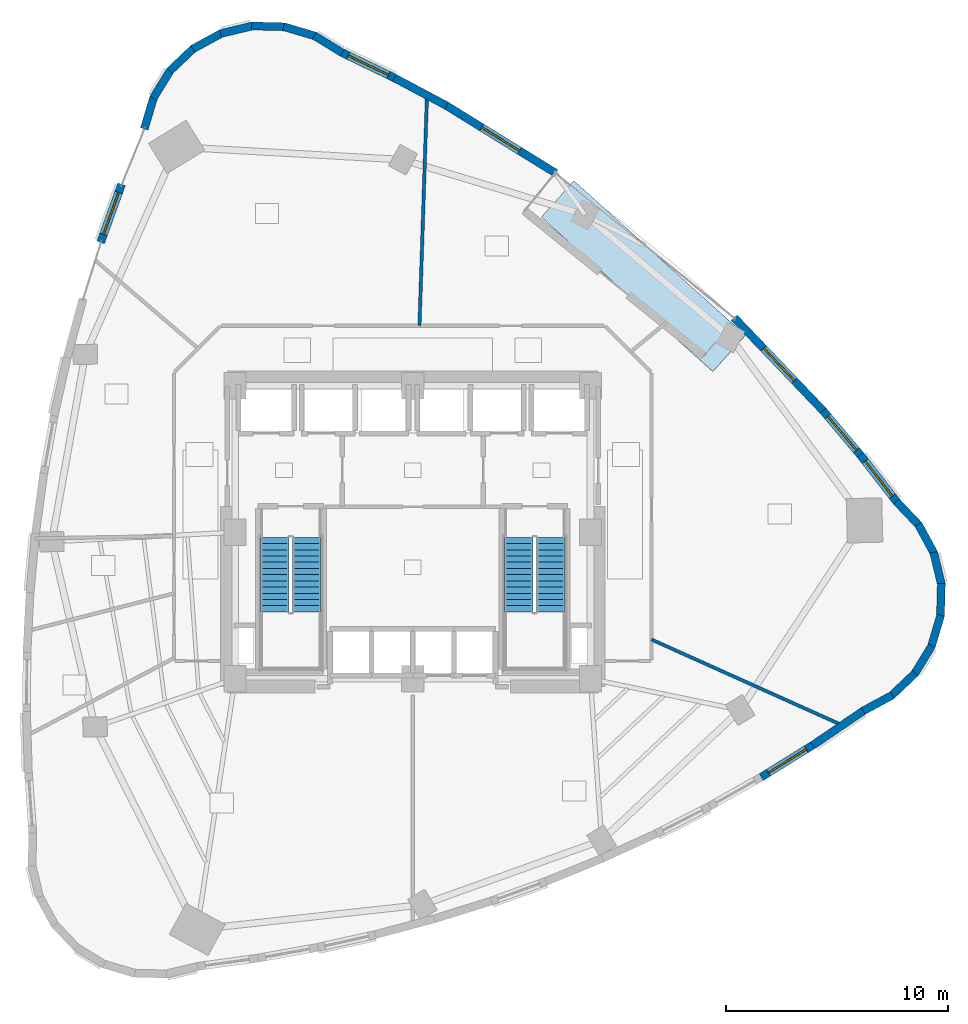
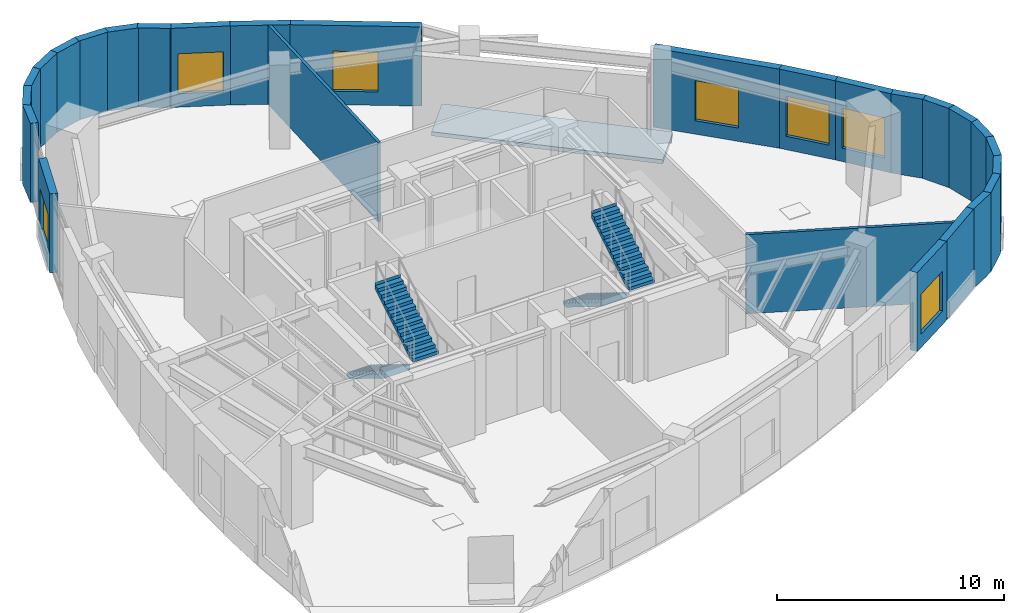
# One storey, part 13 of 16: 27 walls, 7 windows, 4 stair flights, 1 roof, 7 openings, 2 elements without a shape of their own.
"""IFC4 building model written with IfcOpenShell, lengths in metres."""

from ifc_helpers import new_model, si_unit, direction, frame, frame_2d, origin, place, context, subcontext, project, spatial, polyline, rectangle, outline, extrude, material, layer, layer_set, type_object, element, fill, aggregate, save


model = new_model("IFC4")

# Units and contexts
model_context = context("Model", 3, precision=1e-05, world=origin(), true_north=direction((0.0, 1.0)))
body_context = subcontext(model_context, "Body", "Model", "MODEL_VIEW")
ifc_project = project(units=[si_unit("LENGTHUNIT", "METRE"), si_unit("AREAUNIT", "SQUARE_METRE"), si_unit("VOLUMEUNIT", "CUBIC_METRE"), si_unit("PLANEANGLEUNIT", "RADIAN"), si_unit("MASSUNIT", "GRAM", prefix="KILO")], contexts=[model_context])

# Site, building, storey
site_placement = place(None, origin())
site = spatial("IfcSite", under=ifc_project, at=site_placement, CompositionType="ELEMENT")
building_placement = place(site_placement, origin())
building = spatial("IfcBuilding", under=site, at=building_placement, Name="Ndelora Gate Hotel", CompositionType="ELEMENT")
storey_placement = place(building_placement, frame((0.0, 0.0, 92.75)))
storey = spatial("IfcBuildingStorey", under=building, at=storey_placement, Name="L22", CompositionType="ELEMENT", Elevation=92.75)

# Walls
ifc_material_1 = material(Name="Clay Brick Masonry", Category="masonry")
ifc_layer_1 = layer(ifc_material_1, 0.360107421875)
ifc_layer_set_1 = layer_set([ifc_layer_1], Name="Clay Brick Masonry")
wall_type_1 = type_object("IfcWallType", Name="WL-BRICK-360", PredefinedType="SOLIDWALL", material=ifc_layer_set_1)
for number, where, z_axis, x_axis, name in (
    (1, (-4.435791015625, 22.365234375, 0.0), (0.0, 0.0, 1.0), (0.852627228439, -0.522519673624, 0.0), "L22 Tower Brick Pier-and-Spandrel Wall TWR-1"),
    (2, (-5.81494140625, 22.76708984375, 0.0), (0.0, 0.0, 1.0), (0.95879313952, -0.284105113664, 0.0), "L22 Tower Brick Pier-and-Spandrel Wall TWR-2"),
):
    element("IfcWall", number, at=place(storey_placement, frame(where, z_axis=z_axis, x_axis=x_axis)), inside=storey, type_object=wall_type_1, Name=name, PredefinedType="SOLIDWALL", context=body_context, shape_type="SweptSolid", body=[
        extrude(rectangle(XDim=1.48583984375, YDim=0.360107421875, at=frame_2d((0.742919921875, 0.0))), origin(), (0.0, 0.0, 1.0), 4.25),
    ])
wall_1_placement = place(storey_placement, frame((-7.251220703125, 22.798095703125, 0.0), z_axis=(0.0, 0.0, 1.0), x_axis=(0.999658566483, -0.026129494011, 0.0)))
element("IfcWall", 3, at=wall_1_placement, inside=storey, type_object=wall_type_1, Name="L22 Tower Brick Pier-and-Spandrel Wall TWR-3", PredefinedType="SOLIDWALL", context=body_context, shape_type="SweptSolid", body=[
    extrude(rectangle(XDim=1.485595703125, YDim=0.360107421875, at=frame_2d((0.74267578125, 0.0))), origin(), (0.0, 0.0, 1.0), 4.25),
])
wall_2_placement = place(storey_placement, frame((-8.646728515625, 22.45654296875, 0.0), z_axis=(0.0, 0.0, 1.0), x_axis=(0.972399232605, 0.233323235941, 0.0)))
element("IfcWall", 4, at=wall_2_placement, inside=storey, type_object=wall_type_1, Name="L22 Tower Brick Pier-and-Spandrel Wall TWR-4", PredefinedType="SOLIDWALL", context=body_context, shape_type="SweptSolid", body=[
    extrude(rectangle(XDim=1.48583984375, YDim=0.360107421875, at=frame_2d((0.742919921875, 0.0))), origin(), (0.0, 0.0, 1.0), 4.25),
])
wall_3_placement = place(storey_placement, frame((-9.90625, 21.765380859375, 0.0), z_axis=(0.0, 0.0, 1.0), x_axis=(0.878867212286, 0.477066476677, 0.0)))
element("IfcWall", 5, at=wall_3_placement, inside=storey, type_object=wall_type_1, Name="L22 Tower Brick Pier-and-Spandrel Wall TWR-5", PredefinedType="SOLIDWALL", context=body_context, shape_type="SweptSolid", body=[
    extrude(rectangle(XDim=1.485595703125, YDim=0.360107421875, at=frame_2d((0.74267578125, 0.0))), origin(), (0.0, 0.0, 1.0), 4.25),
])
for number, where, z_axis, x_axis, name in (
    (6, (-10.94384765625, 20.771484375, 0.0), (0.0, 0.0, 1.0), (0.725270134981, 0.688464400899, 0.0), "L22 Tower Brick Pier-and-Spandrel Wall TWR-6"),
    (7, (-11.68896484375, 19.543212890625, 0.0), (0.0, 0.0, 1.0), (0.522519673624, 0.852627228439, 0.0), "L22 Tower Brick Pier-and-Spandrel Wall TWR-7"),
    (8, (-12.0908203125, 18.1640625, 0.0), (0.0, 0.0, 1.0), (0.284105113664, 0.95879313952, 0.0), "L22 Tower Brick Pier-and-Spandrel Wall TWR-8"),
):
    element("IfcWall", number, at=place(storey_placement, frame(where, z_axis=z_axis, x_axis=x_axis)), inside=storey, type_object=wall_type_1, Name=name, PredefinedType="SOLIDWALL", context=body_context, shape_type="SweptSolid", body=[
        extrude(rectangle(XDim=1.48583984375, YDim=0.360107421875, at=frame_2d((0.742919921875, 0.0))), origin(), (0.0, 0.0, 1.0), 4.25),
    ])

# Wall, opening, window
wall_4_placement = place(storey_placement, frame((-14.05517578125, 13.05078125, 0.0), z_axis=(0.0, 0.0, 1.0), x_axis=(0.339208104653, 0.940711359418, 0.0)))
wall_4 = element("IfcWall", 9, at=wall_4_placement, inside=storey, type_object=wall_type_1, Name="L22 Tower Brick Pier-and-Spandrel Wall TWR-10", PredefinedType="SOLIDWALL", context=body_context, shape_type="SweptSolid", body=[
    extrude(rectangle(XDim=2.77734375, YDim=0.360107421875, at=frame_2d((1.388671875, 0.0))), origin(), (0.0, 0.0, 1.0), 4.25),
])
opening_1_placement = place(wall_4_placement, frame((0.388916015625, 0.0, 0.719970703125)))
opening_1 = element("IfcOpeningElement", 10, at=opening_1_placement, cuts=wall_4, Name="Opening W05", PredefinedType="OPENING", context=body_context, shape_type="SweptSolid", body=[
    extrude(rectangle(XDim=2.0, YDim=2.14990234375, at=frame_2d((1.0, 1.074951171875))), frame((0.0, 0.18994140625, 0.0), z_axis=(0.0, -1.0, 0.0), x_axis=(1.0, 0.0, 0.0)), (0.0, 0.0, 1.0), 0.380126953125),
])
ifc_material_2 = material(Name="Insulated Low-E Double Glazing in Bronze Aluminium Frame", Category="aluminium")
window_type = type_object("IfcWindowType", Name="WN-SKY-2000", PartitioningType="SINGLE_PANEL", PredefinedType="WINDOW", material=ifc_material_2)
window_1_placement = place(opening_1_placement, origin())
window_1 = element("IfcWindow", 11, at=window_1_placement, inside=storey, type_object=window_type, Name="L22 Deep-Set Brick-Pier Window W05", OverallHeight=2.14990234375, OverallWidth=2.0, PartitioningType="SINGLE_PANEL", PredefinedType="WINDOW", context=body_context, shape_type="SweptSolid", body=[
    extrude(rectangle(XDim=2.0, YDim=2.14990234375, at=frame_2d((1.0, 1.074951171875))), frame((0.0, 0.030029296875, 0.0), z_axis=(0.0, -1.0, 0.0), x_axis=(1.0, 0.0, 0.0)), (0.0, 0.0, 1.0), 0.06005859375),
])
fill(opening_1, window_1)

wall_5_placement = place(storey_placement, frame((18.047607421875, -9.56982421875, 0.0), z_axis=(0.0, 0.0, 1.0), x_axis=(-0.84962386879, -0.527389117809, 0.0)))
wall_5 = element("IfcWall", 12, at=wall_5_placement, inside=storey, type_object=wall_type_1, Name="L22 Tower Brick Pier-and-Spandrel Wall TWR-39", PredefinedType="SOLIDWALL", context=body_context, shape_type="SweptSolid", body=[
    extrude(rectangle(XDim=2.777587890625, YDim=0.360107421875, at=frame_2d((1.388671875, 0.0))), origin(), (0.0, 0.0, 1.0), 4.25),
])
opening_2_placement = place(wall_5_placement, frame((0.388671875, 0.0, 0.719970703125)))
opening_2 = element("IfcOpeningElement", 13, at=opening_2_placement, cuts=wall_5, Name="Opening W05", PredefinedType="OPENING", context=body_context, shape_type="SweptSolid", body=[
    extrude(rectangle(XDim=2.0, YDim=2.14990234375, at=frame_2d((1.0, 1.074951171875))), frame((0.0, 0.18994140625, 0.0), z_axis=(0.0, -1.0, 0.0), x_axis=(1.0, 0.0, 0.0)), (0.0, 0.0, 1.0), 0.380126953125),
])
window_2_placement = place(opening_2_placement, origin())
window_2 = element("IfcWindow", 14, at=window_2_placement, inside=storey, type_object=window_type, Name="L22 Deep-Set Brick-Pier Window W05", OverallHeight=2.14990234375, OverallWidth=2.0, PartitioningType="SINGLE_PANEL", PredefinedType="WINDOW", context=body_context, shape_type="SweptSolid", body=[
    extrude(rectangle(XDim=2.0, YDim=2.14990234375, at=frame_2d((1.0, 1.074951171875))), frame((0.0, 0.030029296875, 0.0), z_axis=(0.0, -1.0, 0.0), x_axis=(1.0, 0.0, 0.0)), (0.0, 0.0, 1.0), 0.06005859375),
])
fill(opening_2, window_2)

# Walls
wall_6_placement = place(storey_placement, frame((20.323486328125, -8.024169921875, 0.0), z_axis=(0.0, 0.0, 1.0), x_axis=(-0.82749023723, -0.56148010409, 0.0)))
element("IfcWall", 15, at=wall_6_placement, inside=storey, type_object=wall_type_1, Name="L22 Tower Brick Pier-and-Spandrel Wall TWR-40", PredefinedType="SOLIDWALL", context=body_context, shape_type="SweptSolid", body=[
    extrude(rectangle(XDim=2.801025390625, YDim=0.360107421875, at=frame_2d((1.400390625, 0.0))), origin(), (0.0, 0.0, 1.0), 4.25),
])
wall_7_placement = place(storey_placement, frame((21.586669921875, -7.34130859375, 0.0), z_axis=(0.0, 0.0, 1.0), x_axis=(-0.87890460574, -0.476997582812, 0.0)))
element("IfcWall", 16, at=wall_7_placement, inside=storey, type_object=wall_type_1, Name="L22 Tower Brick Pier-and-Spandrel Wall TWR-41", PredefinedType="SOLIDWALL", context=body_context, shape_type="SweptSolid", body=[
    extrude(rectangle(XDim=1.48583984375, YDim=0.360107421875, at=frame_2d((0.742919921875, 0.0))), origin(), (0.0, 0.0, 1.0), 4.25),
])
wall_8_placement = place(storey_placement, frame((22.624267578125, -6.347412109375, 0.0), z_axis=(0.0, 0.0, 1.0), x_axis=(-0.725348001868, -0.688382361908, 0.0)))
element("IfcWall", 17, at=wall_8_placement, inside=storey, type_object=wall_type_1, Name="L22 Tower Brick Pier-and-Spandrel Wall TWR-42", PredefinedType="SOLIDWALL", context=body_context, shape_type="SweptSolid", body=[
    extrude(rectangle(XDim=1.486083984375, YDim=0.360107421875, at=frame_2d((0.7431640625, 0.0))), origin(), (0.0, 0.0, 1.0), 4.25),
])
for number, where, z_axis, x_axis, name in (
    (18, (23.369384765625, -5.119140625, 0.0), (0.0, 0.0, 1.0), (-0.522519673624, -0.852627228439, 0.0), "L22 Tower Brick Pier-and-Spandrel Wall TWR-43"),
    (19, (23.771240234375, -3.739990234375, 0.0), (0.0, 0.0, 1.0), (-0.284105113664, -0.95879313952, 0.0), "L22 Tower Brick Pier-and-Spandrel Wall TWR-44"),
):
    element("IfcWall", number, at=place(storey_placement, frame(where, z_axis=z_axis, x_axis=x_axis)), inside=storey, type_object=wall_type_1, Name=name, PredefinedType="SOLIDWALL", context=body_context, shape_type="SweptSolid", body=[
        extrude(rectangle(XDim=1.48583984375, YDim=0.360107421875, at=frame_2d((0.742919921875, 0.0))), origin(), (0.0, 0.0, 1.0), 4.25),
    ])
for number, where, z_axis, x_axis, name in (
    (20, (23.802490234375, -2.3037109375, 0.0), (0.0, 0.0, 1.0), (-0.026293717191, -0.99965426045, 0.0), "L22 Tower Brick Pier-and-Spandrel Wall TWR-45"),
    (21, (23.460693359375, -0.908203125, 0.0), (0.0, 0.0, 1.0), (0.23351590147, -0.972352983109, 0.0), "L22 Tower Brick Pier-and-Spandrel Wall TWR-46"),
):
    element("IfcWall", number, at=place(storey_placement, frame(where, z_axis=z_axis, x_axis=x_axis)), inside=storey, type_object=wall_type_1, Name=name, PredefinedType="SOLIDWALL", context=body_context, shape_type="SweptSolid", body=[
        extrude(rectangle(XDim=1.485595703125, YDim=0.360107421875, at=frame_2d((0.74267578125, 0.0))), origin(), (0.0, 0.0, 1.0), 4.25),
    ])
wall_9_placement = place(storey_placement, frame((22.76953125, 0.351318359375, 0.0), z_axis=(0.0, 0.0, 1.0), x_axis=(0.477124494484, -0.878835716595, 0.0)))
element("IfcWall", 22, at=wall_9_placement, inside=storey, type_object=wall_type_1, Name="L22 Tower Brick Pier-and-Spandrel Wall TWR-47", PredefinedType="SOLIDWALL", context=body_context, shape_type="SweptSolid", body=[
    extrude(rectangle(XDim=1.48583984375, YDim=0.360107421875, at=frame_2d((0.742919921875, 0.0))), origin(), (0.0, 0.0, 1.0), 4.25),
])
wall_10_placement = place(storey_placement, frame((21.77587890625, 1.388916015625, 0.0), z_axis=(0.0, 0.0, 1.0), x_axis=(0.688377955726, -0.725352183474, 0.0)))
element("IfcWall", 23, at=wall_10_placement, inside=storey, type_object=wall_type_1, Name="L22 Tower Brick Pier-and-Spandrel Wall TWR-48", PredefinedType="SOLIDWALL", context=body_context, shape_type="SweptSolid", body=[
    extrude(rectangle(XDim=1.485595703125, YDim=0.360107421875, at=frame_2d((0.74267578125, 0.0))), origin(), (0.0, 0.0, 1.0), 4.25),
])

# Wall, opening, window
wall_11_placement = place(storey_placement, frame((20.158935546875, 3.47802734375, 0.0), z_axis=(0.0, 0.0, 1.0), x_axis=(0.612809647907, -0.790230558402, 0.0)))
wall_11 = element("IfcWall", 24, at=wall_11_placement, inside=storey, type_object=wall_type_1, Name="L22 Tower Brick Pier-and-Spandrel Wall TWR-49", PredefinedType="SOLIDWALL", context=body_context, shape_type="SweptSolid", body=[
    extrude(rectangle(XDim=2.691650390625, YDim=0.360107421875, at=frame_2d((1.345703125, 0.0))), origin(), (0.0, 0.0, 1.0), 4.25),
])
opening_3_placement = place(wall_11_placement, frame((0.345703125, 0.0, 0.719970703125)))
opening_3 = element("IfcOpeningElement", 25, at=opening_3_placement, cuts=wall_11, Name="Opening W05", PredefinedType="OPENING", context=body_context, shape_type="SweptSolid", body=[
    extrude(rectangle(XDim=2.0, YDim=2.14990234375, at=frame_2d((1.0, 1.074951171875))), frame((0.0, 0.18994140625, 0.0), z_axis=(0.0, -1.0, 0.0), x_axis=(1.0, 0.0, 0.0)), (0.0, 0.0, 1.0), 0.380126953125),
])
window_3_placement = place(opening_3_placement, origin())
window_3 = element("IfcWindow", 26, at=window_3_placement, inside=storey, type_object=window_type, Name="L22 Deep-Set Brick-Pier Window W05", OverallHeight=2.14990234375, OverallWidth=2.0, PartitioningType="SINGLE_PANEL", PredefinedType="WINDOW", context=body_context, shape_type="SweptSolid", body=[
    extrude(rectangle(XDim=2.0, YDim=2.14990234375, at=frame_2d((1.0, 1.074951171875))), frame((0.0, 0.030029296875, 0.0), z_axis=(0.0, -1.0, 0.0), x_axis=(1.0, 0.0, 0.0)), (0.0, 0.0, 1.0), 0.06005859375),
])
fill(opening_3, window_3)

wall_12_placement = place(storey_placement, frame((18.47314453125, 5.4833984375, 0.0), z_axis=(0.0, 0.0, 1.0), x_axis=(0.643174928474, -0.765719277139, 0.0)))
wall_12 = element("IfcWall", 27, at=wall_12_placement, inside=storey, type_object=wall_type_1, Name="L22 Tower Brick Pier-and-Spandrel Wall TWR-50", PredefinedType="SOLIDWALL", context=body_context, shape_type="SweptSolid", body=[
    extrude(rectangle(XDim=2.669677734375, YDim=0.360107421875, at=frame_2d((1.3349609375, 0.0))), origin(), (0.0, 0.0, 1.0), 4.25),
])
opening_4_placement = place(wall_12_placement, frame((0.3349609375, 0.0, 0.719970703125)))
opening_4 = element("IfcOpeningElement", 28, at=opening_4_placement, cuts=wall_12, Name="Opening W05", PredefinedType="OPENING", context=body_context, shape_type="SweptSolid", body=[
    extrude(rectangle(XDim=2.0, YDim=2.14990234375, at=frame_2d((1.0, 1.074951171875))), frame((0.0, 0.18994140625, 0.0), z_axis=(0.0, -1.0, 0.0), x_axis=(1.0, 0.0, 0.0)), (0.0, 0.0, 1.0), 0.380126953125),
])
window_4_placement = place(opening_4_placement, origin())
window_4 = element("IfcWindow", 29, at=window_4_placement, inside=storey, type_object=window_type, Name="L22 Deep-Set Brick-Pier Window W05", OverallHeight=2.14990234375, OverallWidth=2.0, PartitioningType="SINGLE_PANEL", PredefinedType="WINDOW", context=body_context, shape_type="SweptSolid", body=[
    extrude(rectangle(XDim=2.0, YDim=2.14990234375, at=frame_2d((1.0, 1.074951171875))), frame((0.0, 0.030029296875, 0.0), z_axis=(0.0, -1.0, 0.0), x_axis=(1.0, 0.0, 0.0)), (0.0, 0.0, 1.0), 0.06005859375),
])
fill(opening_4, window_4)

wall_13_placement = place(storey_placement, frame((14.48046875, 9.658447265625, 0.0), z_axis=(0.0, 0.0, 1.0), x_axis=(0.690962891269, -0.722890228796, 0.0)))
wall_13 = element("IfcWall", 30, at=wall_13_placement, inside=storey, type_object=wall_type_1, Name="L22 Tower Brick Pier-and-Spandrel Wall TWR-51", PredefinedType="SOLIDWALL", context=body_context, shape_type="SweptSolid", body=[
    extrude(rectangle(XDim=5.826904296875, YDim=0.360107421875, at=frame_2d((2.91357421875, 0.0))), origin(), (0.0, 0.0, 1.0), 4.25),
])
opening_5_placement = place(wall_13_placement, frame((1.913330078125, 0.0, 0.719970703125)))
opening_5 = element("IfcOpeningElement", 31, at=opening_5_placement, cuts=wall_13, Name="Opening W05", PredefinedType="OPENING", context=body_context, shape_type="SweptSolid", body=[
    extrude(rectangle(XDim=2.0, YDim=2.14990234375, at=frame_2d((1.0, 1.074951171875))), frame((0.0, 0.18994140625, 0.0), z_axis=(0.0, -1.0, 0.0), x_axis=(1.0, 0.0, 0.0)), (0.0, 0.0, 1.0), 0.380126953125),
])
window_5_placement = place(opening_5_placement, origin())
window_5 = element("IfcWindow", 32, at=window_5_placement, inside=storey, type_object=window_type, Name="L22 Deep-Set Brick-Pier Window W05", OverallHeight=2.14990234375, OverallWidth=2.0, PartitioningType="SINGLE_PANEL", PredefinedType="WINDOW", context=body_context, shape_type="SweptSolid", body=[
    extrude(rectangle(XDim=2.0, YDim=2.14990234375, at=frame_2d((1.0, 1.074951171875))), frame((0.0, 0.030029296875, 0.0), z_axis=(0.0, -1.0, 0.0), x_axis=(1.0, 0.0, 0.0)), (0.0, 0.0, 1.0), 0.06005859375),
])
fill(opening_5, window_5)

wall_14_placement = place(storey_placement, frame((1.4794921875, 19.234619140625, 0.0), z_axis=(0.0, 0.0, 1.0), x_axis=(0.85074785703, -0.525574051642, 0.0)))
wall_14 = element("IfcWall", 33, at=wall_14_placement, inside=storey, type_object=wall_type_1, Name="L22 Tower Brick Pier-and-Spandrel Wall TWR-56", PredefinedType="SOLIDWALL", context=body_context, shape_type="SweptSolid", body=[
    extrude(rectangle(XDim=5.826904296875, YDim=0.360107421875, at=frame_2d((2.91357421875, 0.0))), origin(), (0.0, 0.0, 1.0), 4.25),
])
opening_6_placement = place(wall_14_placement, frame((1.91357421875, 0.0, 0.719970703125)))
opening_6 = element("IfcOpeningElement", 34, at=opening_6_placement, cuts=wall_14, Name="Opening W05", PredefinedType="OPENING", context=body_context, shape_type="SweptSolid", body=[
    extrude(rectangle(XDim=2.0, YDim=2.14990234375, at=frame_2d((1.0, 1.074951171875))), frame((0.0, 0.18994140625, 0.0), z_axis=(0.0, -1.0, 0.0), x_axis=(1.0, 0.0, 0.0)), (0.0, 0.0, 1.0), 0.380126953125),
])
window_6_placement = place(opening_6_placement, origin())
window_6 = element("IfcWindow", 35, at=window_6_placement, inside=storey, type_object=window_type, Name="L22 Deep-Set Brick-Pier Window W05", OverallHeight=2.14990234375, OverallWidth=2.0, PartitioningType="SINGLE_PANEL", PredefinedType="WINDOW", context=body_context, shape_type="SweptSolid", body=[
    extrude(rectangle(XDim=2.0, YDim=2.14990234375, at=frame_2d((1.0, 1.074951171875))), frame((0.0, 0.030029296875, 0.0), z_axis=(0.0, -1.0, 0.0), x_axis=(1.0, 0.0, 0.0)), (0.0, 0.0, 1.0), 0.06005859375),
])
fill(opening_6, window_6)

# Wall
wall_15_placement = place(storey_placement, frame((-0.833740234375, 20.464111328125, 0.0), z_axis=(0.0, 0.0, 1.0), x_axis=(0.882722285875, -0.469895058519, 0.0)))
element("IfcWall", 36, at=wall_15_placement, inside=storey, type_object=wall_type_1, Name="L22 Tower Brick Pier-and-Spandrel Wall TWR-57", PredefinedType="SOLIDWALL", context=body_context, shape_type="SweptSolid", body=[
    extrude(rectangle(XDim=2.66943359375, YDim=0.360107421875, at=frame_2d((1.334716796875, 0.0))), origin(), (0.0, 0.0, 1.0), 4.25),
])

# Wall, opening, window
wall_16_placement = place(storey_placement, frame((-3.212646484375, 21.61279296875, 0.0), z_axis=(0.0, 0.0, 1.0), x_axis=(0.900333552313, -0.435200522265, 0.0)))
wall_16 = element("IfcWall", 37, at=wall_16_placement, inside=storey, type_object=wall_type_1, Name="L22 Tower Brick Pier-and-Spandrel Wall TWR-58", PredefinedType="SOLIDWALL", context=body_context, shape_type="SweptSolid", body=[
    extrude(rectangle(XDim=2.691650390625, YDim=0.360107421875, at=frame_2d((1.345703125, 0.0))), origin(), (0.0, 0.0, 1.0), 4.25),
])
opening_7_placement = place(wall_16_placement, frame((0.345947265625, 0.0, 0.719970703125)))
opening_7 = element("IfcOpeningElement", 38, at=opening_7_placement, cuts=wall_16, Name="Opening W05", PredefinedType="OPENING", context=body_context, shape_type="SweptSolid", body=[
    extrude(rectangle(XDim=2.0, YDim=2.14990234375, at=frame_2d((1.0, 1.074951171875))), frame((0.0, 0.18994140625, 0.0), z_axis=(0.0, -1.0, 0.0), x_axis=(1.0, 0.0, 0.0)), (0.0, 0.0, 1.0), 0.380126953125),
])
window_7_placement = place(opening_7_placement, origin())
window_7 = element("IfcWindow", 39, at=window_7_placement, inside=storey, type_object=window_type, Name="L22 Deep-Set Brick-Pier Window W05", OverallHeight=2.14990234375, OverallWidth=2.0, PartitioningType="SINGLE_PANEL", PredefinedType="WINDOW", context=body_context, shape_type="SweptSolid", body=[
    extrude(rectangle(XDim=2.0, YDim=2.14990234375, at=frame_2d((1.0, 1.074951171875))), frame((0.0, 0.030029296875, 0.0), z_axis=(0.0, -1.0, 0.0), x_axis=(1.0, 0.0, 0.0)), (0.0, 0.0, 1.0), 0.06005859375),
])
fill(opening_7, window_7)

# Walls
ifc_material_3 = material(Name="Fire-Rated Gypsum Stud Partition", Category="gypsum")
ifc_layer_2 = layer(ifc_material_3, 0.14990234375)
ifc_layer_set_2 = layer_set([ifc_layer_2], Name="Fire-Rated Gypsum Stud Partition")
wall_type_2 = type_object("IfcWallType", Name="WL-PART-150", PredefinedType="PARTITIONING", material=ifc_layer_set_2)
wall_17_placement = place(storey_placement, frame((10.75, -4.831298828125, 0.0), z_axis=(0.0, 0.0, 1.0), x_axis=(0.912123184647, -0.409916206106, 0.0)))
element("IfcWall", 40, at=wall_17_placement, inside=storey, type_object=wall_type_2, Name="L22 Interior Wall IW-5", PredefinedType="PARTITIONING", context=body_context, shape_type="SweptSolid", body=[
    extrude(rectangle(XDim=9.41748046875, YDim=0.14990234375, at=frame_2d((4.708740234375, 0.0))), origin(), (0.0, 0.0, 1.0), 4.25),
])
wall_18_placement = place(storey_placement, frame((0.302490234375, 9.300048828125, 0.0), z_axis=(0.0, 0.0, 1.0), x_axis=(0.032513261834, 0.999471304143, 0.0)))
element("IfcWall", 41, at=wall_18_placement, inside=storey, type_object=wall_type_2, Name="L22 Interior Wall IW-5", PredefinedType="PARTITIONING", context=body_context, shape_type="SweptSolid", body=[
    extrude(rectangle(XDim=10.384765625, YDim=0.14990234375, at=frame_2d((5.1923828125, 0.0))), origin(), (0.0, 0.0, 1.0), 4.25),
])

# Stair, stair flights
ifc_material_4 = material(Name="Precast concrete C40/50", Category="concrete")
stair_type = type_object("IfcStairType", Name="STR-DOG-CORE", PredefinedType="HALF_TURN_STAIR", material=ifc_material_4)
stair_1_placement = place(storey_placement, origin())
stair_1 = element("IfcStair", 42, at=stair_1_placement, inside=storey, type_object=stair_type, Name="L22 Protected Core Exit Stair ST4", PredefinedType="HALF_TURN_STAIR")
stair_flight_type = type_object("IfcStairFlightType", Name="STF-PRECAST", PredefinedType="STRAIGHT", material=ifc_material_4)
stair_flight_1_placement = place(storey_placement, frame((-6.2099609375, -0.22998046875, 0.0), z_axis=(0.0, 0.0, 1.0), x_axis=(0.0, -1.0, 0.0)))
stair_flight_1 = element("IfcStairFlight", 43, at=stair_flight_1_placement, type_object=stair_flight_type, Name="ST4 flight 1", NumberOfRisers=13, NumberOfTreads=12, PredefinedType="STRAIGHT", RiserHeight=0.173076923, TreadLength=0.28, context=body_context, shape_type="SweptSolid", body=[
    extrude(outline(polyline([(-0.00048828125, 0.0), (-0.00048828125, 0.173095703125), (0.0, 0.173095703125), (0.280029296875, 0.173095703125), (0.280029296875, 0.34619140625), (0.56005859375, 0.34619140625), (0.56005859375, 0.519287109375), (0.840087890625, 0.519287109375), (0.840087890625, 0.6923828125), (1.1201171875, 0.6923828125), (1.1201171875, 0.865478515625), (1.39990234375, 0.865478515625), (1.39990234375, 1.03857421875), (1.679931640625, 1.03857421875), (1.679931640625, 1.21142578125), (1.9599609375, 1.21142578125), (1.9599609375, 1.384521484375), (2.239990234375, 1.384521484375), (2.239990234375, 1.5576171875), (2.52001953125, 1.5576171875), (2.52001953125, 1.730712890625), (2.800048828125, 1.730712890625), (2.800048828125, 1.90380859375), (3.080078125, 1.90380859375), (3.080078125, 2.076904296875), (3.360107421875, 2.076904296875), (3.360107421875, 2.25), (3.360595703125, 2.25), (3.360595703125, 2.070068359375), (3.360107421875, 1.900634765625), (0.28515625, 0.0), (-0.00048828125, 0.0)])), frame((0.0, 0.64013671875, 0.0), z_axis=(0.0, -1.0, 0.0), x_axis=(1.0, 0.0, 0.0)), (0.0, 0.0, 1.0), 1.280029296875),
])
stair_flight_2_placement = place(storey_placement, frame((-4.77001953125, -3.590087890625, 2.25), z_axis=(0.0, 0.0, 1.0), x_axis=(0.0, 1.0, 0.0)))
stair_flight_2 = element("IfcStairFlight", 44, at=stair_flight_2_placement, type_object=stair_flight_type, Name="ST4 flight 2", NumberOfRisers=13, NumberOfTreads=12, PredefinedType="STRAIGHT", RiserHeight=0.173076923, TreadLength=0.28, context=body_context, shape_type="SweptSolid", body=[
    extrude(outline(polyline([(-0.00048828125, 0.0), (-0.00048828125, 0.173095703125), (0.0, 0.173095703125), (0.280029296875, 0.173095703125), (0.280029296875, 0.34619140625), (0.56005859375, 0.34619140625), (0.56005859375, 0.519287109375), (0.840087890625, 0.519287109375), (0.840087890625, 0.6923828125), (1.1201171875, 0.6923828125), (1.1201171875, 0.865478515625), (1.39990234375, 0.865478515625), (1.39990234375, 1.03857421875), (1.679931640625, 1.03857421875), (1.679931640625, 1.21142578125), (1.9599609375, 1.21142578125), (1.9599609375, 1.384521484375), (2.239990234375, 1.384521484375), (2.239990234375, 1.5576171875), (2.52001953125, 1.5576171875), (2.52001953125, 1.730712890625), (2.800048828125, 1.730712890625), (2.800048828125, 1.90380859375), (3.080078125, 1.90380859375), (3.080078125, 2.076904296875), (3.360107421875, 2.076904296875), (3.360107421875, 2.25), (3.360595703125, 2.25), (3.360595703125, 2.070068359375), (3.360107421875, 1.900634765625), (0.28515625, 0.0), (-0.00048828125, 0.0)])), frame((0.0, 0.64013671875, 0.0), z_axis=(0.0, -1.0, 0.0), x_axis=(1.0, 0.0, 0.0)), (0.0, 0.0, 1.0), 1.280029296875),
])
aggregate(stair_1, [stair_flight_1, stair_flight_2])

stair_2_placement = place(storey_placement, origin())
stair_2 = element("IfcStair", 45, at=stair_2_placement, inside=storey, type_object=stair_type, Name="L22 Protected Core Exit Stair ST5", PredefinedType="HALF_TURN_STAIR")
stair_flight_3_placement = place(storey_placement, frame((4.77001953125, -0.22998046875, 0.0), z_axis=(0.0, 0.0, 1.0), x_axis=(0.0, -1.0, 0.0)))
stair_flight_3 = element("IfcStairFlight", 46, at=stair_flight_3_placement, type_object=stair_flight_type, Name="ST5 flight 1", NumberOfRisers=13, NumberOfTreads=12, PredefinedType="STRAIGHT", RiserHeight=0.173076923, TreadLength=0.28, context=body_context, shape_type="SweptSolid", body=[
    extrude(outline(polyline([(-0.00048828125, 0.0), (-0.00048828125, 0.173095703125), (0.0, 0.173095703125), (0.280029296875, 0.173095703125), (0.280029296875, 0.34619140625), (0.56005859375, 0.34619140625), (0.56005859375, 0.519287109375), (0.840087890625, 0.519287109375), (0.840087890625, 0.6923828125), (1.1201171875, 0.6923828125), (1.1201171875, 0.865478515625), (1.39990234375, 0.865478515625), (1.39990234375, 1.03857421875), (1.679931640625, 1.03857421875), (1.679931640625, 1.21142578125), (1.9599609375, 1.21142578125), (1.9599609375, 1.384521484375), (2.239990234375, 1.384521484375), (2.239990234375, 1.5576171875), (2.52001953125, 1.5576171875), (2.52001953125, 1.730712890625), (2.800048828125, 1.730712890625), (2.800048828125, 1.90380859375), (3.080078125, 1.90380859375), (3.080078125, 2.076904296875), (3.360107421875, 2.076904296875), (3.360107421875, 2.25), (3.360595703125, 2.25), (3.360595703125, 2.070068359375), (3.360107421875, 1.900634765625), (0.28515625, 0.0), (-0.00048828125, 0.0)])), frame((0.0, 0.64013671875, 0.0), z_axis=(0.0, -1.0, 0.0), x_axis=(1.0, 0.0, 0.0)), (0.0, 0.0, 1.0), 1.280029296875),
])
stair_flight_4_placement = place(storey_placement, frame((6.2099609375, -3.590087890625, 2.25), z_axis=(0.0, 0.0, 1.0), x_axis=(0.0, 1.0, 0.0)))
stair_flight_4 = element("IfcStairFlight", 47, at=stair_flight_4_placement, type_object=stair_flight_type, Name="ST5 flight 2", NumberOfRisers=13, NumberOfTreads=12, PredefinedType="STRAIGHT", RiserHeight=0.173076923, TreadLength=0.28, context=body_context, shape_type="SweptSolid", body=[
    extrude(outline(polyline([(-0.00048828125, 0.0), (-0.00048828125, 0.173095703125), (0.0, 0.173095703125), (0.280029296875, 0.173095703125), (0.280029296875, 0.34619140625), (0.56005859375, 0.34619140625), (0.56005859375, 0.519287109375), (0.840087890625, 0.519287109375), (0.840087890625, 0.6923828125), (1.1201171875, 0.6923828125), (1.1201171875, 0.865478515625), (1.39990234375, 0.865478515625), (1.39990234375, 1.03857421875), (1.679931640625, 1.03857421875), (1.679931640625, 1.21142578125), (1.9599609375, 1.21142578125), (1.9599609375, 1.384521484375), (2.239990234375, 1.384521484375), (2.239990234375, 1.5576171875), (2.52001953125, 1.5576171875), (2.52001953125, 1.730712890625), (2.800048828125, 1.730712890625), (2.800048828125, 1.90380859375), (3.080078125, 1.90380859375), (3.080078125, 2.076904296875), (3.360107421875, 2.076904296875), (3.360107421875, 2.25), (3.360595703125, 2.25), (3.360595703125, 2.070068359375), (3.360107421875, 1.900634765625), (0.28515625, 0.0), (-0.00048828125, 0.0)])), frame((0.0, 0.64013671875, 0.0), z_axis=(0.0, -1.0, 0.0), x_axis=(1.0, 0.0, 0.0)), (0.0, 0.0, 1.0), 1.280029296875),
])
aggregate(stair_2, [stair_flight_3, stair_flight_4])

# Roof
ifc_material_5 = material(Name="Architectural Bronze Clad Steel Canopy", Category="steel")
ifc_layer_3 = layer(ifc_material_5, 0.219970703125)
ifc_layer_set_3 = layer_set([ifc_layer_3], Name="Architectural Bronze Clad Steel Canopy")
roof_type = type_object("IfcRoofType", Name="RF-CANOPY-200", PredefinedType="PAVILION_ROOF", material=ifc_layer_set_3)
roof_placement = place(storey_placement, frame((0.0, 0.0, -0.2900390625)))
element("IfcRoof", 48, at=roof_placement, inside=storey, type_object=roof_type, Name="L22 Sky-Garden Feature Weather Canopy", PredefinedType="PAVILION_ROOF", context=body_context, shape_type="SweptSolid", body=[
    extrude(outline(polyline([(13.51025390625, 7.2333984375), (14.982421875, 8.868408203125), (7.253662109375, 15.827392578125), (5.781494140625, 14.1923828125), (13.51025390625, 7.2333984375)])), origin(), (0.0, 0.0, 1.0), 0.219970703125),
])

save(model, "model.ifc")
